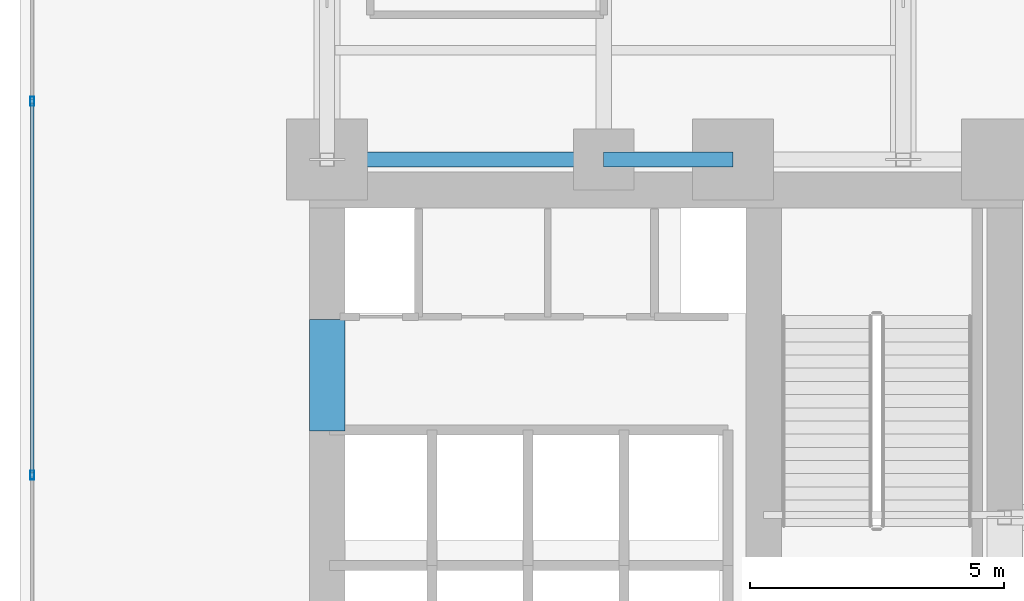
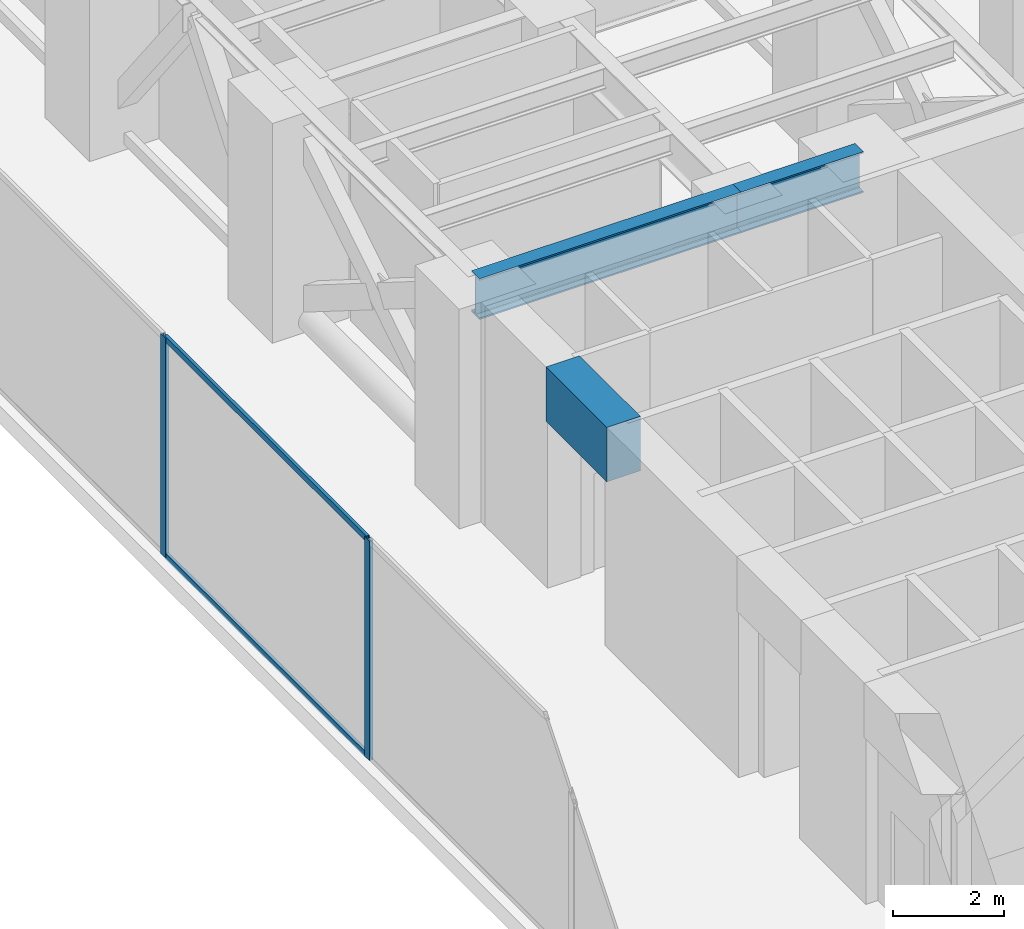
# One storey, part 8 of 36: 4 members, 3 beams, 1 element without a shape of its own.
"""IFC4 building model written with IfcOpenShell, lengths in metres."""

import ifcopenshell
import ifcopenshell.guid

model = None  # the IFC model being written
_history = None  # IfcOwnerHistory: only IFC2X3 demands one
_inside = {}  # id of a spatial element -> (the spatial element, [elements in it])
_under = {}  # id of a project, library or spatial element -> (it, [spatial elements below it])
_declared = {}  # id of a project -> (the project, [libraries it declares])
_typed = {}  # id of a type object -> (the type object, [elements of that type])
_made_of = {}  # id of a material, layer set ... -> (it, [elements and type objects made of it])


def new_model(schema):
    """Start an empty IFC model of exactly this schema.

    Asked for "IFC4X3", IfcOpenShell would pick the latest addendum, in which some entities
    have other attributes; the version numbers below select the first issue.
    IFC2X3 requires an IfcOwnerHistory on every rooted entity: one is made here for all.
    """
    global model, _history
    if schema == "IFC4X3":
        model = ifcopenshell.file(schema_version=(4, 3, 0, 0))
    else:
        model = ifcopenshell.file(schema=schema)
    _inside.clear()
    _under.clear()
    _declared.clear()
    _typed.clear()
    _made_of.clear()
    _history = None
    if model.schema == "IFC2X3":
        org = make("IfcOrganization", Name="unknown")
        user = make(
            "IfcPersonAndOrganization",
            ThePerson=make("IfcPerson", FamilyName="unknown"),
            TheOrganization=org,
        )
        app = make(
            "IfcApplication",
            ApplicationDeveloper=org,
            Version="unknown",
            ApplicationFullName="unknown",
            ApplicationIdentifier="unknown",
        )
        _history = make(
            "IfcOwnerHistory",
            OwningUser=user,
            OwningApplication=app,
            ChangeAction="ADDED",
            CreationDate=0,
        )
    return model


def make(cls, **values):
    """One entity of the class cls with the attributes given. An attribute that is None is left unset."""
    return model.create_entity(
        cls, **{name: value for name, value in values.items() if value is not None}
    )


def rooted(cls, **values):
    """An entity with a GlobalId (a new one), such as an element, a storey or a relation."""
    return make(cls, GlobalId=ifcopenshell.guid.new(), OwnerHistory=_history, **values)


def si_unit(unit_type, name, prefix=None):
    """IfcSIUnit, for example si_unit("LENGTHUNIT", "METRE", prefix="MILLI")."""
    return make("IfcSIUnit", UnitType=unit_type, Prefix=prefix, Name=name)


def assignment(units):
    """IfcUnitAssignment: the units of a project."""
    return None if units is None else make("IfcUnitAssignment", Units=units)


def point(xyz):
    """IfcCartesianPoint."""
    return None if xyz is None else make("IfcCartesianPoint", Coordinates=xyz)


def direction(xyz):
    """IfcDirection."""
    return None if xyz is None else make("IfcDirection", DirectionRatios=xyz)


def frame(location, z_axis=None, x_axis=None):
    """IfcAxis2Placement3D, a coordinate frame: its origin and axes. An axis left out is left unset."""
    return make(
        "IfcAxis2Placement3D",
        Location=point(location),
        Axis=direction(z_axis),
        RefDirection=direction(x_axis),
    )


def frame_2d(location, x_axis=None):
    """IfcAxis2Placement2D, a coordinate frame in the plane: its origin and x axis."""
    return make(
        "IfcAxis2Placement2D", Location=point(location), RefDirection=direction(x_axis)
    )


def origin():
    """The frame at (0, 0, 0) with its axes left unset."""
    return frame((0.0, 0.0, 0.0))


def origin_with_axes():
    """The frame at (0, 0, 0) with the z axis (0, 0, 1) and the x axis (1, 0, 0) written out."""
    return frame((0.0, 0.0, 0.0), z_axis=(0.0, 0.0, 1.0), x_axis=(1.0, 0.0, 0.0))


def origin_2d():
    """The frame at (0, 0) in the plane with its x axis left unset."""
    return frame_2d((0.0, 0.0))


def place(relative_to, where):
    """IfcLocalPlacement: puts the frame where relative to a parent placement (None: the world)."""
    return make(
        "IfcLocalPlacement", PlacementRelTo=relative_to, RelativePlacement=where
    )


def context(
    kind, dimensions, precision=None, world=None, true_north=None, identifier=None
):
    """IfcGeometricRepresentationContext, for example the 3D "Model" context."""
    return make(
        "IfcGeometricRepresentationContext",
        ContextIdentifier=identifier,
        ContextType=kind,
        CoordinateSpaceDimension=dimensions,
        Precision=precision,
        WorldCoordinateSystem=world,
        TrueNorth=true_north,
    )


def subcontext(parent, identifier, kind, view, scale=None):
    """IfcGeometricRepresentationSubContext, for example "Body" below "Model"."""
    return make(
        "IfcGeometricRepresentationSubContext",
        ContextIdentifier=identifier,
        ContextType=kind,
        ParentContext=parent,
        TargetScale=scale,
        TargetView=view,
    )


def project(units=None, contexts=None):
    """IfcProject with its units and contexts."""
    return rooted(
        "IfcProject",
        Name="project",
        RepresentationContexts=contexts,
        UnitsInContext=assignment(units),
    )


def spatial(cls, under=None, at=None, **own):
    """A site, building, storey or space (cls), placed at a placement, below another one or the project."""
    s = rooted(cls, ObjectPlacement=at, **own)
    if under is not None:
        _under.setdefault(under.id(), (under, []))[1].append(s)
    return s


def profile(cls, at=None, kind="AREA", **sizes):
    """A parametric profile (cls). Its sizes go by their IFC names, for example OverallWidth=200.0."""
    return make(cls, ProfileType=kind, Position=at, **sizes)


def rectangle(**sizes):
    """IfcRectangleProfileDef."""
    return profile("IfcRectangleProfileDef", **sizes)


def hollow_rectangle(**sizes):
    """IfcRectangleHollowProfileDef."""
    return profile("IfcRectangleHollowProfileDef", **sizes)


def i_section(**sizes):
    """IfcIShapeProfileDef."""
    return profile("IfcIShapeProfileDef", **sizes)


def extrude(swept, where, along, depth):
    """IfcExtrudedAreaSolid: the profile swept, set in the frame where, extruded along a direction by depth."""
    return make(
        "IfcExtrudedAreaSolid",
        SweptArea=swept,
        Position=where,
        ExtrudedDirection=direction(along),
        Depth=depth,
    )


def shape(context_of_items, identifier, shape_type, items):
    """IfcShapeRepresentation: the items that make up one representation, for example the "Body"."""
    return make(
        "IfcShapeRepresentation",
        ContextOfItems=context_of_items,
        RepresentationIdentifier=identifier,
        RepresentationType=shape_type,
        Items=items,
    )


def source(mapping_origin, context_of_items, identifier, shape_type, items):
    """IfcRepresentationMap: a shape defined once, which mapped items show again and again."""
    return make(
        "IfcRepresentationMap",
        MappingOrigin=mapping_origin,
        MappedRepresentation=shape(context_of_items, identifier, shape_type, items),
    )


def transform(
    local_origin,
    x_axis=None,
    y_axis=None,
    z_axis=None,
    scale=None,
    scale2=None,
    scale3=None,
    uniform=True,
):
    """IfcCartesianTransformationOperator3D, or its non-uniform kind. x_axis, y_axis, z_axis: its Axis1, 2, 3."""
    if uniform:
        return make(
            "IfcCartesianTransformationOperator3D",
            Axis1=direction(x_axis),
            Axis2=direction(y_axis),
            LocalOrigin=point(local_origin),
            Scale=scale,
            Axis3=direction(z_axis),
        )
    return make(
        "IfcCartesianTransformationOperator3DnonUniform",
        Axis1=direction(x_axis),
        Axis2=direction(y_axis),
        LocalOrigin=point(local_origin),
        Scale=scale,
        Axis3=direction(z_axis),
        Scale2=scale2,
        Scale3=scale3,
    )


def mapped(mapping_source, mapping_target):
    """IfcMappedItem: shows the shape of a source again, moved by a transform."""
    return make(
        "IfcMappedItem", MappingSource=mapping_source, MappingTarget=mapping_target
    )


def material(Name=None, Category=None):
    """IfcMaterial."""
    return make("IfcMaterial", Name=Name, Category=Category)


def layer(
    of_material, thickness, ventilated=None, Name=None, Category=None, Priority=None
):
    """IfcMaterialLayer: one layer of a wall or slab, of a material (None: an air gap)."""
    return make(
        "IfcMaterialLayer",
        Material=of_material,
        LayerThickness=thickness,
        IsVentilated=ventilated,
        Name=Name,
        Category=Category,
        Priority=Priority,
    )


def layer_set(layers, Name=None):
    """IfcMaterialLayerSet."""
    return make("IfcMaterialLayerSet", MaterialLayers=layers, LayerSetName=Name)


def material_profile(
    of_material, cross_section, Name=None, Category=None, Priority=None
):
    """IfcMaterialProfile: a cross section and its material."""
    return make(
        "IfcMaterialProfile",
        Name=Name,
        Material=of_material,
        Profile=cross_section,
        Priority=Priority,
        Category=Category,
    )


def profile_set(profiles, Name=None, composite=None):
    """IfcMaterialProfileSet."""
    return make(
        "IfcMaterialProfileSet",
        Name=Name,
        MaterialProfiles=profiles,
        CompositeProfile=composite,
    )


def made_of(thing, what):
    """Note that an element or type object is made of a material, layer set ...; save() writes the relation."""
    if what is not None:
        _made_of.setdefault(what.id(), (what, []))[1].append(thing)
    return thing


def type_object(cls, material=None, **own):
    """A type object (cls), such as IfcWallType, which elements share."""
    return made_of(rooted(cls, **own), material)


def element(
    cls,
    number,
    at=None,
    inside=None,
    cuts=None,
    type_object=None,
    material=None,
    context=None,
    identifier="Body",
    shape_type=None,
    held_by="IfcProductDefinitionShape",
    body=None,
    shapes=None,
    **own,
):
    """One element of the class cls, such as IfcWall. Its Tag is "e" and its number.

    at: its placement. inside: the storey or other place that contains it. cuts: it is an
    opening in that element (IfcRelVoidsElement). A single representation is given by context,
    identifier, shape_type and body (its items); several are given by shapes. held_by: the class
    of the entity that holds the representations. save() writes the other relations.
    """
    e = rooted(cls, Tag="e%d" % number, ObjectPlacement=at, **own)
    if body is not None:
        shapes = [shape(context, identifier, shape_type, body)]
    if shapes is not None:
        e.Representation = make(held_by, Representations=shapes)
    if inside is not None:
        _inside.setdefault(inside.id(), (inside, []))[1].append(e)
    if cuts is not None:
        rooted(
            "IfcRelVoidsElement", RelatingBuildingElement=cuts, RelatedOpeningElement=e
        )
    if type_object is not None:
        _typed.setdefault(type_object.id(), (type_object, []))[1].append(e)
    return made_of(e, material)


def aggregate(whole, parts):
    """IfcRelAggregates: a whole, such as a stair, and the parts it consists of."""
    return rooted("IfcRelAggregates", RelatingObject=whole, RelatedObjects=parts)


def save(model, path):
    """Write the relations noted so far, then the file.

    IfcRelAggregates (storeys below a building ...), IfcRelContainedInSpatialStructure (elements
    in a storey), IfcRelDefinesByType, IfcRelAssociatesMaterial and IfcRelDeclares: one each for
    every whole, place, type object, material and project.
    """
    for whole, parts in _under.values():
        aggregate(whole, parts)
    for where, things in _inside.values():
        rooted(
            "IfcRelContainedInSpatialStructure",
            RelatedElements=things,
            RelatingStructure=where,
        )
    for kind, things in _typed.values():
        rooted("IfcRelDefinesByType", RelatedObjects=things, RelatingType=kind)
    for what, things in _made_of.values():
        rooted("IfcRelAssociatesMaterial", RelatedObjects=things, RelatingMaterial=what)
    for by, libraries in _declared.values():
        rooted("IfcRelDeclares", RelatingContext=by, RelatedDefinitions=libraries)
    model.write(path)


model = new_model("IFC4")

# Units and contexts
model_context = context("Model", 3, precision=1e-05, world=origin(), true_north=direction((0.0, 1.0)))
body_context = subcontext(model_context, "Body", "Model", "MODEL_VIEW")
ifc_project = project(units=[si_unit("LENGTHUNIT", "METRE"), si_unit("AREAUNIT", "SQUARE_METRE"), si_unit("VOLUMEUNIT", "CUBIC_METRE"), si_unit("PLANEANGLEUNIT", "RADIAN"), si_unit("MASSUNIT", "GRAM", prefix="KILO")], contexts=[model_context])

# Site, building, storey
site_placement = place(None, origin())
site = spatial("IfcSite", under=ifc_project, at=site_placement, CompositionType="ELEMENT")
building_placement = place(site_placement, origin())
building = spatial("IfcBuilding", under=site, at=building_placement, Name="Kolvaren Waterfront Exchange", CompositionType="ELEMENT")
storey_placement = place(building_placement, frame((0.0, 0.0, 82.800048828125)))
storey = spatial("IfcBuildingStorey", under=building, at=storey_placement, Name="L21", CompositionType="ELEMENT", Elevation=82.800048828125)

# Beams
ifc_material_1 = material(Name="Steel S355", Category="steel")
ifc_material_profile_1 = material_profile(ifc_material_1, i_section(OverallWidth=0.300048828125, OverallDepth=0.89990234375, WebThickness=0.0185546875, FlangeThickness=0.034912109375, FilletRadius=0.030029296875, at=origin_2d()), Name="HEB900")
ifc_profile_set_1 = profile_set([ifc_material_profile_1], Name="Steel S355")
beam_type_1 = type_object("IfcBeamType", Name="STR-BM-HEB900", PredefinedType="BEAM", material=ifc_profile_set_1)
beam_1_placement = place(storey_placement, frame((7.449951171875, 24.449951171875, 4.389892578125), z_axis=(1.0, 0.0, 0.0), x_axis=(0.0, 1.0, 0.0)))
element("IfcBeam", 1, at=beam_1_placement, inside=storey, type_object=beam_type_1, Name="L21 north-arm girder 1A", PredefinedType="BEAM", context=body_context, shape_type="SweptSolid", body=[
    extrude(i_section(OverallWidth=0.300048828125, OverallDepth=0.89990234375, WebThickness=0.0185546875, FlangeThickness=0.034912109375, FilletRadius=0.030029296875, at=origin_2d()), origin(), (0.0, 0.0, 1.0), 5.449951171875),
])
beam_2_placement = place(storey_placement, frame((12.89990234375, 24.449951171875, 4.389892578125), z_axis=(1.0, 0.0, 0.0), x_axis=(0.0, 1.0, 0.0)))
element("IfcBeam", 2, at=beam_2_placement, inside=storey, type_object=beam_type_1, Name="L21 north-arm girder 1B", PredefinedType="BEAM", context=body_context, shape_type="SweptSolid", body=[
    extrude(i_section(OverallWidth=0.300048828125, OverallDepth=0.89990234375, WebThickness=0.0185546875, FlangeThickness=0.034912109375, FilletRadius=0.030029296875, at=origin_2d()), origin(), (0.0, 0.0, 1.0), 2.550048828125),
])
ifc_material_2 = material(Name="Concrete C70/85", Category="concrete")
ifc_material_profile_2 = material_profile(ifc_material_2, rectangle(XDim=0.699951171875, YDim=1.199951171875, at=origin_2d()), Name="RC-CB-1200x700")
ifc_profile_set_2 = profile_set([ifc_material_profile_2], Name="Concrete C70/85")
beam_type_2 = type_object("IfcBeamType", Name="STR-CB-1200", PredefinedType="SPANDREL", material=ifc_profile_set_2)
beam_3_placement = place(storey_placement, frame((7.449951171875, 19.10009765625, 4.239990234375), z_axis=(0.0, 1.0, 0.0), x_axis=(-1.0, 0.0, 0.0)))
element("IfcBeam", 3, at=beam_3_placement, inside=storey, type_object=beam_type_2, Name="L21 core coupling beam 5", PredefinedType="SPANDREL", context=body_context, shape_type="SweptSolid", body=[
    extrude(rectangle(XDim=0.699951171875, YDim=1.199951171875, at=origin_2d()), origin(), (0.0, 0.0, 1.0), 2.199951171875),
])

# Curtain wall, members
ifc_material_3 = material(Name="Anodised dark bronze spandrel aluminium", Category="aluminium")
ifc_layer = layer(ifc_material_3, 0.219970703125, Name="Anodised dark bronze spandrel aluminium")
ifc_layer_set = layer_set([ifc_layer], Name="Anodised dark bronze spandrel aluminium")
curtain_wall_type = type_object("IfcCurtainWallType", Name="ARC-CW-SYS6", PredefinedType="USERDEFINED", material=ifc_layer_set)
curtain_wall_placement = place(storey_placement, origin())
curtain_wall = element("IfcCurtainWall", 4, at=curtain_wall_placement, inside=storey, type_object=curtain_wall_type, Name="L21 stick curtain wall CW6 (CW-L21-W)", ObjectType="STICK CURTAIN WALL", PredefinedType="USERDEFINED")
ifc_material_4 = material(Name="Anodised bronze aluminium 6063-T6", Category="aluminium")
ifc_material_profile_3 = material_profile(ifc_material_4, hollow_rectangle(XDim=0.074951171875, YDim=0.179931640625, WallThickness=0.00439453125, at=origin_2d()), Name="ALU-MUL-180x75x4.5")
ifc_profile_set_3 = profile_set([ifc_material_profile_3], Name="Anodised bronze aluminium 6063-T6")
member_type_1 = type_object("IfcMemberType", Name="ARC-CWM-180", PredefinedType="MULLION", material=ifc_profile_set_3)
shared_shape_1 = source(origin_with_axes(), body_context, "Body", "SweptSolid", [
    extrude(hollow_rectangle(XDim=0.074951171875, YDim=0.179931640625, WallThickness=0.00439453125, at=origin_2d()), origin(), (0.0, 0.0, 1.0), 4.83984375),
])
member_1_placement = place(storey_placement, frame((1.639892578125, 18.2333984375, 0.0), z_axis=(0.0, 0.0, 1.0), x_axis=(-1.0, 0.0, 0.0)))
member_1 = element("IfcMember", 5, at=member_1_placement, type_object=member_type_1, Name="CW6 mullion 3", PredefinedType="MULLION", context=body_context, shape_type="MappedRepresentation", body=[
    mapped(shared_shape_1, transform((0.0, 0.0, 0.0), x_axis=(1.0, 0.0, 0.0), y_axis=(0.0, 1.0, 0.0), z_axis=(0.0, 0.0, 1.0), scale=1.0)),
])
member_2_placement = place(storey_placement, frame((1.639892578125, 25.60009765625, 0.0), z_axis=(0.0, 0.0, 1.0), x_axis=(-1.0, 0.0, 0.0)))
member_2 = element("IfcMember", 6, at=member_2_placement, type_object=member_type_1, Name="CW6 mullion 4", PredefinedType="MULLION", context=body_context, shape_type="MappedRepresentation", body=[
    mapped(shared_shape_1, transform((0.0, 0.0, 0.0), x_axis=(1.0, 0.0, 0.0), y_axis=(0.0, 1.0, 0.0), z_axis=(0.0, 0.0, 1.0), scale=1.0)),
])
ifc_material_profile_4 = material_profile(ifc_material_4, hollow_rectangle(XDim=0.06494140625, YDim=0.1298828125, WallThickness=0.00390625, at=origin_2d()), Name="ALU-TRN-130x65x4")
ifc_profile_set_4 = profile_set([ifc_material_profile_4], Name="Anodised bronze aluminium 6063-T6")
member_type_2 = type_object("IfcMemberType", Name="ARC-CWT-130", PredefinedType="USERDEFINED", material=ifc_profile_set_4)
shared_shape_2 = source(origin_with_axes(), body_context, "Body", "SweptSolid", [
    extrude(hollow_rectangle(XDim=0.06494140625, YDim=0.1298828125, WallThickness=0.00390625, at=origin_2d()), origin(), (0.0, 0.0, 1.0), 7.291748046875),
])
member_3_placement = place(storey_placement, frame((1.639892578125, 18.270751953125, 0.032470703125), z_axis=(0.0, 1.0, 0.0), x_axis=(-1.0, 0.0, 0.0)))
member_3 = element("IfcMember", 7, at=member_3_placement, type_object=member_type_2, Name="CW6 transom 3.1", ObjectType="TRANSOM", PredefinedType="USERDEFINED", context=body_context, shape_type="MappedRepresentation", body=[
    mapped(shared_shape_2, transform((0.0, 0.0, 0.0), x_axis=(1.0, 0.0, 0.0), y_axis=(0.0, 1.0, 0.0), z_axis=(0.0, 0.0, 1.0), scale=1.0)),
])
member_4_placement = place(storey_placement, frame((1.639892578125, 18.270751953125, 4.807373046875), z_axis=(0.0, 1.0, 0.0), x_axis=(-1.0, 0.0, 0.0)))
member_4 = element("IfcMember", 8, at=member_4_placement, type_object=member_type_2, Name="CW6 transom 3.2", ObjectType="TRANSOM", PredefinedType="USERDEFINED", context=body_context, shape_type="MappedRepresentation", body=[
    mapped(shared_shape_2, transform((0.0, 0.0, 0.0), x_axis=(1.0, 0.0, 0.0), y_axis=(0.0, 1.0, 0.0), z_axis=(0.0, 0.0, 1.0), scale=1.0)),
])
aggregate(curtain_wall, [member_1, member_2, member_3, member_4])

save(model, "model.ifc")
